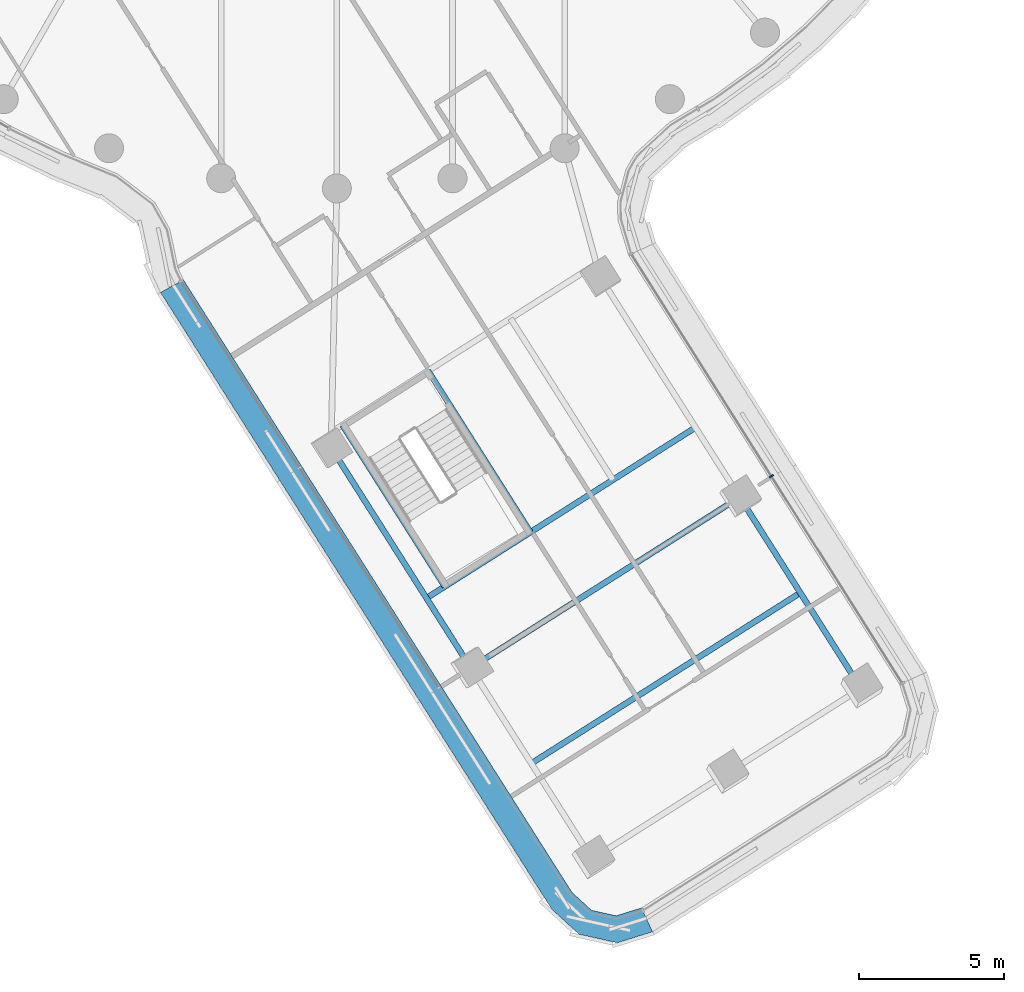
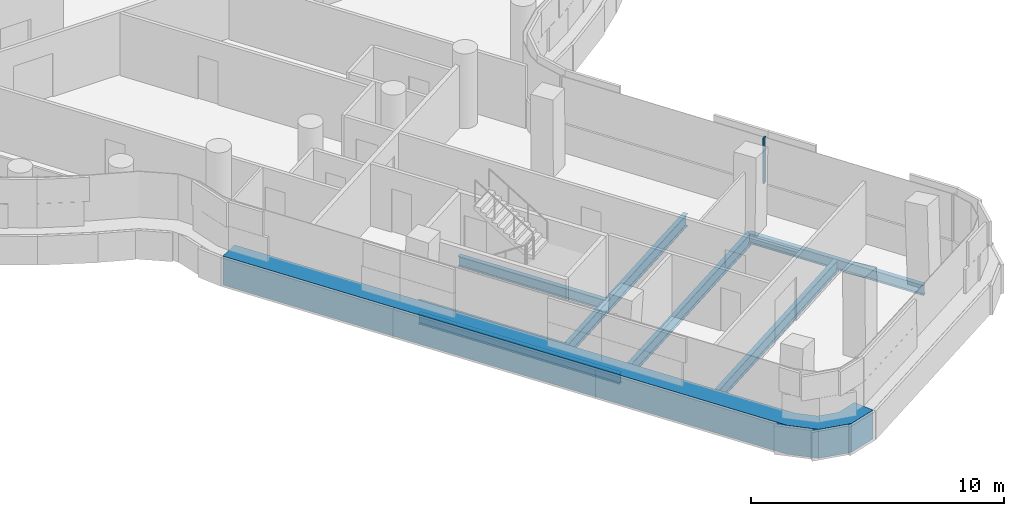
# One storey, part 4 of 36: 7 beams, 2 members, 2 elements without a shape of their own.
"""IFC4 building model written with IfcOpenShell, lengths in metres."""

from ifc_helpers import new_model, si_unit, direction, frame, origin, origin_2d, place, context, subcontext, project, spatial, polyline, rectangle, i_section, outline, extrude, material, layer, layer_set, material_profile, profile_set, type_object, element, aggregate, save


model = new_model("IFC4")

# Units and contexts
model_context = context("Model", 3, precision=1e-05, world=origin(), true_north=direction((0.0, 1.0)))
body_context = subcontext(model_context, "Body", "Model", "MODEL_VIEW")
ifc_project = project(units=[si_unit("LENGTHUNIT", "METRE"), si_unit("AREAUNIT", "SQUARE_METRE"), si_unit("VOLUMEUNIT", "CUBIC_METRE"), si_unit("PLANEANGLEUNIT", "RADIAN"), si_unit("MASSUNIT", "GRAM", prefix="KILO")], contexts=[model_context])

# Site, building, storey
site_placement = place(None, origin())
site = spatial("IfcSite", under=ifc_project, at=site_placement, CompositionType="ELEMENT")
building_placement = place(site_placement, origin())
building = spatial("IfcBuilding", under=site, at=building_placement, Name="Tamarind Cross Interchange Tower", CompositionType="ELEMENT")
storey_placement = place(building_placement, frame((0.0, 0.0, 151.75)))
storey = spatial("IfcBuildingStorey", under=building, at=storey_placement, Name="L37", CompositionType="ELEMENT", Elevation=151.75)

# Beams
ifc_material_1 = material(Name="Steel Q355B", Category="steel")
ifc_material_profile_1 = material_profile(ifc_material_1, i_section(OverallWidth=0.198974609375, OverallDepth=0.49609375, WebThickness=0.009033203125, FlangeThickness=0.013916015625, FilletRadius=0.012939453125, at=origin_2d()), Name="HN 496x199x9x14")
ifc_profile_set_1 = profile_set([ifc_material_profile_1], Name="Steel Q355B")
beam_type_1 = type_object("IfcBeamType", Name="Composite beam HN 496x199x9x14 Q355B", PredefinedType="BEAM", material=ifc_profile_set_1)
beam_1_placement = place(storey_placement, frame((4.62255859375, -39.554931640625, -0.387939453125), z_axis=(-0.535658569153, 0.844434661352, 0.0), x_axis=(-0.844434661352, -0.535658569153, 0.0)))
element("IfcBeam", 1, at=beam_1_placement, inside=storey, type_object=beam_type_1, Name="Beam S-edgeem6", PredefinedType="BEAM", context=body_context, shape_type="SweptSolid", body=[
    extrude(i_section(OverallWidth=0.198974609375, OverallDepth=0.49609375, WebThickness=0.009033203125, FlangeThickness=0.013916015625, FilletRadius=0.012939453125, at=origin_2d()), origin(), (0.0, 0.0, 1.0), 9.000244140625),
])
beam_2_placement = place(storey_placement, frame((18.10009765625, -40.265869140625, -0.387939453125), z_axis=(-0.535658784414, 0.844434524803, 0.0), x_axis=(-0.844434524803, -0.535658784414, 0.0)))
element("IfcBeam", 2, at=beam_2_placement, inside=storey, type_object=beam_type_1, Name="Beam S-edgeep2", PredefinedType="BEAM", context=body_context, shape_type="SweptSolid", body=[
    extrude(i_section(OverallWidth=0.198974609375, OverallDepth=0.49609375, WebThickness=0.009033203125, FlangeThickness=0.013916015625, FilletRadius=0.012939453125, at=origin_2d()), origin(), (0.0, 0.0, 1.0), 7.81982421875),
])
for number, where, z_axis, x_axis, name in (
    (3, (0.19384765625, -31.173095703125, -0.387939453125), (0.535666206895, -0.84442981638, 0.0), (0.84442981638, 0.535666206895, 0.0), "Beam S-tr0"),
    (4, (3.1494140625, -29.29833984375, -0.387939453125), (0.535666206895, -0.84442981638, 0.0), (0.84442981638, 0.535666206895, 0.0), "Beam S-tr1"),
):
    element("IfcBeam", number, at=place(storey_placement, frame(where, z_axis=z_axis, x_axis=x_axis)), inside=storey, type_object=beam_type_1, Name=name, PredefinedType="BEAM", context=body_context, shape_type="SweptSolid", body=[
        extrude(i_section(OverallWidth=0.198974609375, OverallDepth=0.49609375, WebThickness=0.009033203125, FlangeThickness=0.013916015625, FilletRadius=0.012939453125, at=origin_2d()), origin(), (0.0, 0.0, 1.0), 6.60009765625),
    ])
ifc_material_profile_2 = material_profile(ifc_material_1, i_section(OverallWidth=0.199951171875, OverallDepth=0.60009765625, WebThickness=0.010986328125, FlangeThickness=0.01708984375, FilletRadius=0.012939453125, at=origin_2d()), Name="HN 600x200x11x17")
ifc_profile_set_2 = profile_set([ifc_material_profile_2], Name="Steel Q355B")
beam_type_2 = type_object("IfcBeamType", Name="Composite beam HN 600x200x11x17 Q355B", PredefinedType="BEAM", material=ifc_profile_set_2)
for number, where, z_axis, x_axis, name in (
    (5, (3.095947265625, -37.148193359375, -0.43994140625), (0.844431939185, 0.535662860468, 0.0), (-0.535662860468, 0.844431939185, 0.0), "Beam S-x364"),
    (6, (4.62255859375, -39.554931640625, -0.43994140625), (0.844431939185, 0.535662860468, 0.0), (-0.535662860468, 0.844431939185, 0.0), "Beam S-x393"),
):
    element("IfcBeam", number, at=place(storey_placement, frame(where, z_axis=z_axis, x_axis=x_axis)), inside=storey, type_object=beam_type_2, Name=name, PredefinedType="BEAM", context=body_context, shape_type="SweptSolid", body=[
        extrude(i_section(OverallWidth=0.199951171875, OverallDepth=0.60009765625, WebThickness=0.010986328125, FlangeThickness=0.01708984375, FilletRadius=0.012939453125, at=origin_2d()), origin(), (0.0, 0.0, 1.0), 11.0),
    ])
beam_3_placement = place(storey_placement, frame((6.717041015625, -42.8564453125, -0.43994140625), z_axis=(0.84442557065, 0.535672899849, 0.0), x_axis=(-0.535672899849, 0.84442557065, 0.0)))
element("IfcBeam", 7, at=beam_3_placement, inside=storey, type_object=beam_type_2, Name="Beam S-x432", PredefinedType="BEAM", context=body_context, shape_type="SweptSolid", body=[
    extrude(i_section(OverallWidth=0.199951171875, OverallDepth=0.60009765625, WebThickness=0.010986328125, FlangeThickness=0.01708984375, FilletRadius=0.012939453125, at=origin_2d()), origin(), (0.0, 0.0, 1.0), 10.999755859375),
])

# Curtain wall, member
ifc_material_2 = material(Name="Aluminium 6063-T6", Category="aluminium")
ifc_layer = layer(ifc_material_2, 0.159912109375)
ifc_layer_set = layer_set([ifc_layer], Name="Aluminium 6063-T6")
curtain_wall_type = type_object("IfcCurtainWallType", Name="Office curtain wall, 9.0 m bays", PredefinedType="NOTDEFINED", material=ifc_layer_set)
curtain_wall_1_placement = place(storey_placement, origin())
curtain_wall_1 = element("IfcCurtainWall", 8, at=curtain_wall_1_placement, inside=storey, type_object=curtain_wall_type, Name="CWS-L37-07", PredefinedType="NOTDEFINED")
ifc_material_3 = material(Name="Aluminium and insulated spandrel panel", Category="aluminium")
member_type_1 = type_object("IfcMemberType", Name="Floor-edge blade transom", PredefinedType="USERDEFINED", material=ifc_material_3)
member_1_placement = place(storey_placement, origin())
member_1 = element("IfcMember", 9, at=member_1_placement, type_object=member_type_1, Name="CWT-L37-07", ObjectType="TRANSOM", PredefinedType="USERDEFINED", context=body_context, shape_type="SweptSolid", body=[
    extrude(outline(polyline([(-5.294677734375, -26.161376953125), (8.11962890625, -47.307861328125), (8.79345703125, -47.927734375), (9.646728515625, -48.11865234375), (10.520263671875, -47.844970703125), (10.90234375, -48.66845703125), (9.685546875, -49.049560546875), (8.361572265625, -48.75341796875), (7.423095703125, -47.89013671875), (-6.086181640625, -26.59375), (-5.294677734375, -26.161376953125)])), origin(), (0.0, 0.0, 1.0), 1.39990234375),
])
aggregate(curtain_wall_1, [member_1])

curtain_wall_2_placement = place(storey_placement, origin())
curtain_wall_2 = element("IfcCurtainWall", 10, at=curtain_wall_2_placement, inside=storey, type_object=curtain_wall_type, Name="CWS-L37-09", PredefinedType="NOTDEFINED")
ifc_material_profile_3 = material_profile(ifc_material_2, rectangle(XDim=0.06005859375, YDim=0.159912109375, at=origin_2d()), Name="Mullion CW1")
ifc_profile_set_3 = profile_set([ifc_material_profile_3], Name="Aluminium 6063-T6")
member_type_2 = type_object("IfcMemberType", Name="Mullion CW1", PredefinedType="MULLION", material=ifc_profile_set_3)
member_2_placement = place(storey_placement, frame((15.009765625, -32.933837890625, 1.39990234375), z_axis=(0.0, 0.0, 1.0), x_axis=(-0.533880613265, 0.845559868241, 0.0)))
member_2 = element("IfcMember", 11, at=member_2_placement, type_object=member_type_2, Name="CWM-L37-09-01", PredefinedType="MULLION", context=body_context, shape_type="SweptSolid", body=[
    extrude(rectangle(XDim=0.06005859375, YDim=0.159912109375, at=origin_2d()), origin(), (0.0, 0.0, 1.0), 2.210205078125),
])
aggregate(curtain_wall_2, [member_2])

save(model, "model.ifc")
